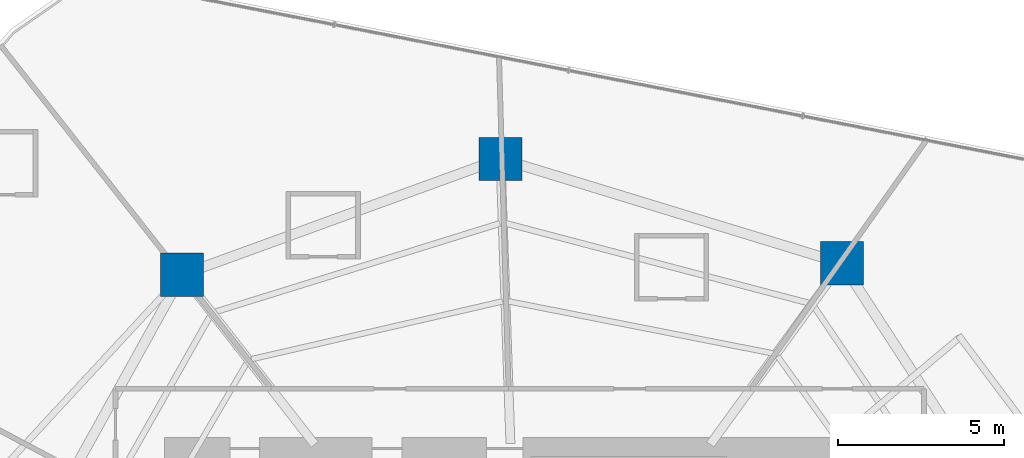
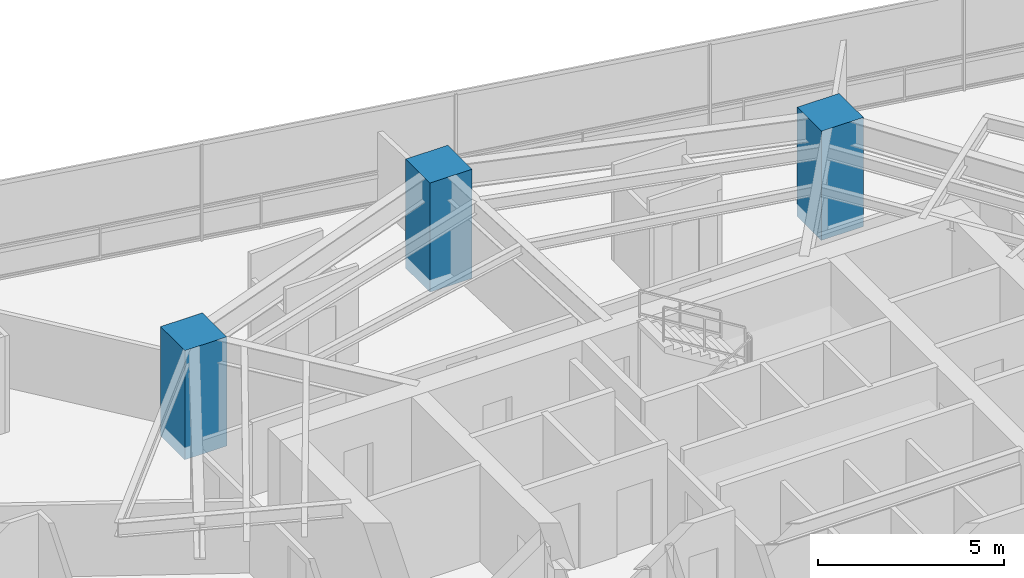
# One storey, part 2 of 33: 3 columns.
"""IFC4 building model written with IfcOpenShell, lengths in metres."""

from ifc_helpers import new_model, si_unit, direction, frame, origin, origin_2d, place, context, subcontext, project, spatial, rectangle, extrude, material, material_profile, profile_set, type_object, element, save


model = new_model("IFC4")

# Units and contexts
model_context = context("Model", 3, precision=1e-05, world=origin(), true_north=direction((0.0, 1.0)))
body_context = subcontext(model_context, "Body", "Model", "MODEL_VIEW")
ifc_project = project(units=[si_unit("LENGTHUNIT", "METRE"), si_unit("AREAUNIT", "SQUARE_METRE"), si_unit("VOLUMEUNIT", "CUBIC_METRE"), si_unit("PLANEANGLEUNIT", "RADIAN"), si_unit("MASSUNIT", "GRAM", prefix="KILO")], contexts=[model_context])

# Site, building, storey
site_placement = place(None, origin())
site = spatial("IfcSite", under=ifc_project, at=site_placement, CompositionType="ELEMENT")
building_placement = place(site_placement, origin())
building = spatial("IfcBuilding", under=site, at=building_placement, Name="Qarnah Convention Tower", CompositionType="ELEMENT")
storey_placement = place(building_placement, frame((0.0, 0.0, 27.0)))
storey = spatial("IfcBuildingStorey", under=building, at=storey_placement, Name="L05", CompositionType="ELEMENT", Elevation=27.0)

# Columns
ifc_material = material(Name="Concrete C60/75", Category="concrete")
ifc_material_profile = material_profile(ifc_material, rectangle(XDim=1.300048828125, YDim=1.300048828125, at=origin_2d()), Name="RC-COL-1300X1300")
ifc_profile_set = profile_set([ifc_material_profile], Name="Concrete C60/75")
column_type = type_object("IfcColumnType", Name="COL-Z1-1300", PredefinedType="COLUMN", material=ifc_profile_set)
for number, where, z_axis, x_axis, name in (
    (1, (46.927978515625, 39.7890625, -0.405029296875), (0.0, 0.0, 1.0), (1.0, 0.0, 0.0), "L05 plumb column PC-Z1-02"),
    (2, (36.6220703125, 42.93994140625, -0.405029296875), (0.0, 0.0, 1.0), (1.0, 0.0, 0.0), "L05 plumb column PC-Z1-03"),
    (3, (27.010986328125, 39.44189453125, -0.405029296875), (0.0, 0.0, 1.0), (1.0, 0.0, 0.0), "L05 plumb column PC-Z1-04"),
):
    element("IfcColumn", number, at=place(storey_placement, frame(where, z_axis=z_axis, x_axis=x_axis)), inside=storey, type_object=column_type, Name=name, PredefinedType="COLUMN", context=body_context, shape_type="SweptSolid", body=[
        extrude(rectangle(XDim=1.300048828125, YDim=1.300048828125, at=origin_2d()), origin(), (0.0, 0.0, 1.0), 3.574951171875),
    ])

save(model, "model.ifc")
